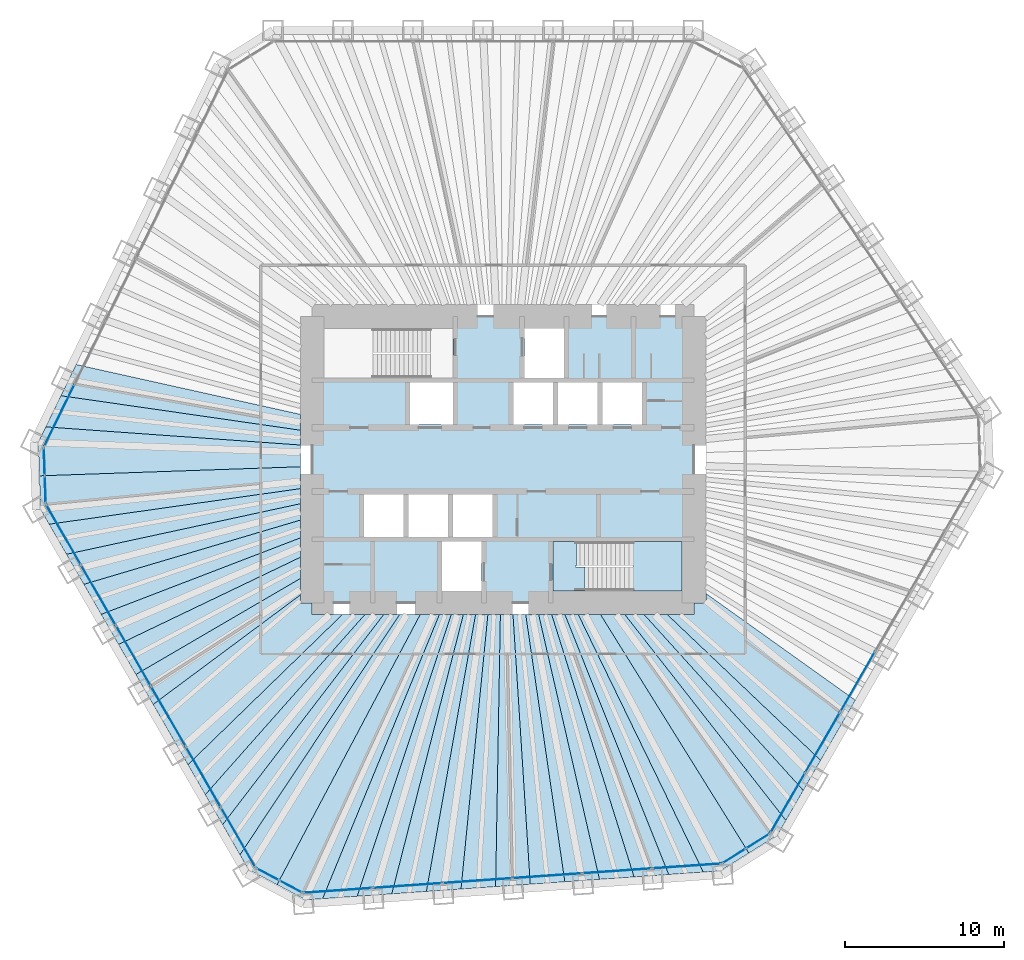
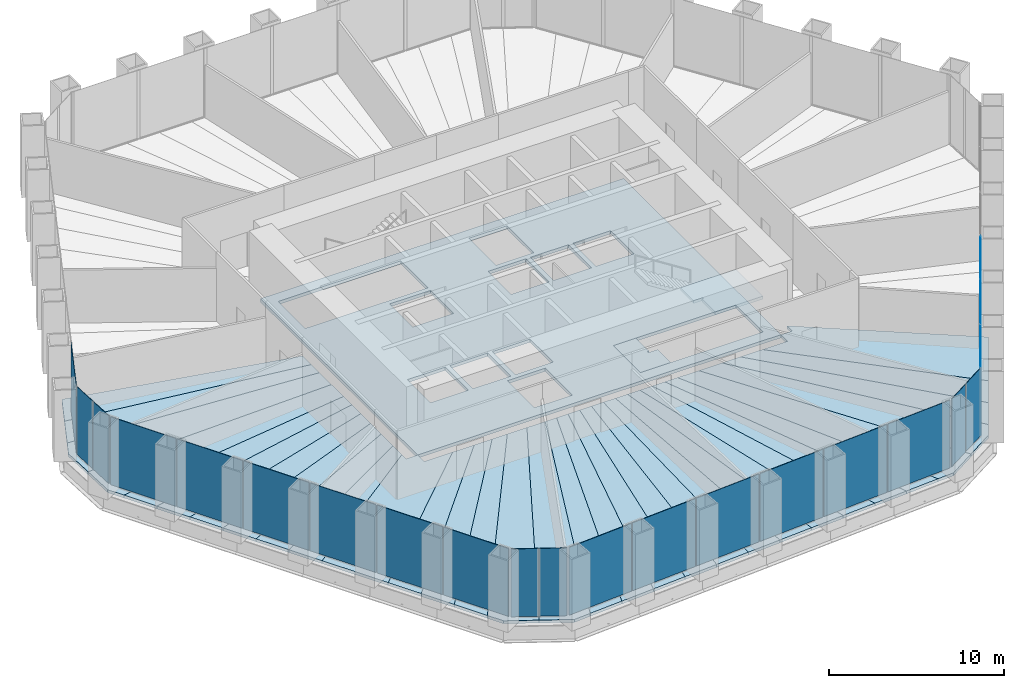
# One storey, part 8 of 13: 35 slabs, 22 plates, 8 elements without a shape of their own.
"""IFC4 building model written with IfcOpenShell, lengths in metres."""

from ifc_helpers import new_model, si_unit, direction, frame, origin, origin_2d, place, context, subcontext, project, spatial, polyline, rectangle, outline, extrude, material, layer, layer_set, type_object, element, aggregate, save


model = new_model("IFC4")

# Units and contexts
model_context = context("Model", 3, precision=1e-05, world=origin(), true_north=direction((0.0, 1.0)))
body_context = subcontext(model_context, "Body", "Model", "MODEL_VIEW")
ifc_project = project(units=[si_unit("LENGTHUNIT", "METRE"), si_unit("AREAUNIT", "SQUARE_METRE"), si_unit("VOLUMEUNIT", "CUBIC_METRE"), si_unit("PLANEANGLEUNIT", "RADIAN"), si_unit("MASSUNIT", "GRAM", prefix="KILO")], contexts=[model_context])

# Site, building, storey
site_placement = place(None, origin())
site = spatial("IfcSite", under=ifc_project, at=site_placement, CompositionType="ELEMENT")
building_placement = place(site_placement, origin())
building = spatial("IfcBuilding", under=site, at=building_placement, Name="Qingtian Harvest Tower", CompositionType="ELEMENT")
storey_placement = place(building_placement, frame((0.0, 0.0, 62.0)))
storey = spatial("IfcBuildingStorey", under=building, at=storey_placement, Name="L12", CompositionType="ELEMENT", Elevation=62.0)

# Slabs
ifc_material_1 = material(Name="Concrete fc' 35 MPa", Category="concrete")
ifc_layer_1 = layer(ifc_material_1, 0.199951171875)
ifc_layer_set_1 = layer_set([ifc_layer_1], Name="Composite floor slab FS20 200")
slab_type_1 = type_object("IfcSlabType", Name="Composite floor slab FS20 200", PredefinedType="FLOOR", material=ifc_layer_set_1)
slab_1_placement = place(storey_placement, frame((0.0, 0.0, -0.199951171875)))
element("IfcSlab", 1, at=slab_1_placement, inside=storey, type_object=slab_type_1, Name="Floor slab L12 panel D01", PredefinedType="FLOOR", context=body_context, shape_type="SweptSolid", body=[
    extrude(outline(polyline([(-29.157470703125, -1.018310546875), (-12.75, -0.447509765625), (-12.75, -1.822998046875), (-28.548583984375, -4.062255859375), (-29.08349609375, -3.135986328125), (-29.157470703125, -1.018310546875)])), origin(), (0.0, 0.0, 1.0), 0.199951171875),
])
slab_2_placement = place(storey_placement, frame((0.0, 0.0, -0.199951171875)))
element("IfcSlab", 2, at=slab_2_placement, inside=storey, type_object=slab_type_1, Name="Floor slab L12 panel D02", PredefinedType="FLOOR", context=body_context, shape_type="SweptSolid", body=[
    extrude(outline(polyline([(-12.75, -2.773681640625), (-27.45751953125, -5.9521484375), (-28.548583984375, -4.062255859375), (-12.75, -1.822998046875), (-12.75, -2.773681640625)])), origin(), (0.0, 0.0, 1.0), 0.199951171875),
])
slab_3_placement = place(storey_placement, frame((0.0, 0.0, -0.199951171875)))
element("IfcSlab", 3, at=slab_3_placement, inside=storey, type_object=slab_type_1, Name="Floor slab L12 panel D03", PredefinedType="FLOOR", context=body_context, shape_type="SweptSolid", body=[
    extrude(outline(polyline([(-12.75, -3.80322265625), (-26.366455078125, -7.842041015625), (-27.45751953125, -5.9521484375), (-12.75, -2.773681640625), (-12.75, -3.80322265625)])), origin(), (0.0, 0.0, 1.0), 0.199951171875),
])
slab_4_placement = place(storey_placement, frame((0.0, 0.0, -0.199951171875)))
element("IfcSlab", 4, at=slab_4_placement, inside=storey, type_object=slab_type_1, Name="Floor slab L12 panel D04", PredefinedType="FLOOR", context=body_context, shape_type="SweptSolid", body=[
    extrude(outline(polyline([(-12.75, -4.921875), (-25.275146484375, -9.732177734375), (-26.366455078125, -7.842041015625), (-12.75, -3.80322265625), (-12.75, -4.921875)])), origin(), (0.0, 0.0, 1.0), 0.199951171875),
])
slab_5_placement = place(storey_placement, frame((0.0, 0.0, -0.199951171875)))
element("IfcSlab", 5, at=slab_5_placement, inside=storey, type_object=slab_type_1, Name="Floor slab L12 panel D05", PredefinedType="FLOOR", context=body_context, shape_type="SweptSolid", body=[
    extrude(outline(polyline([(-12.75, -6.141357421875), (-24.18408203125, -11.6220703125), (-25.275146484375, -9.732177734375), (-12.75, -4.921875), (-12.75, -6.141357421875)])), origin(), (0.0, 0.0, 1.0), 0.199951171875),
])
slab_6_placement = place(storey_placement, frame((0.0, 0.0, -0.199951171875)))
element("IfcSlab", 6, at=slab_6_placement, inside=storey, type_object=slab_type_1, Name="Floor slab L12 panel D06", PredefinedType="FLOOR", context=body_context, shape_type="SweptSolid", body=[
    extrude(outline(polyline([(-12.75, -7.4765625), (-23.0927734375, -13.511962890625), (-24.18408203125, -11.6220703125), (-12.75, -6.141357421875), (-12.75, -7.4765625)])), origin(), (0.0, 0.0, 1.0), 0.199951171875),
])
slab_7_placement = place(storey_placement, frame((0.0, 0.0, -0.199951171875)))
element("IfcSlab", 7, at=slab_7_placement, inside=storey, type_object=slab_type_1, Name="Floor slab L12 panel D07", PredefinedType="FLOOR", context=body_context, shape_type="SweptSolid", body=[
    extrude(outline(polyline([(-12.75, -8.512451171875), (-22.00537109375, -15.3955078125), (-23.0927734375, -13.511962890625), (-12.75, -7.4765625), (-12.75, -8.512451171875)])), origin(), (0.0, 0.0, 1.0), 0.199951171875),
])
slab_8_placement = place(storey_placement, frame((0.0, 0.0, -0.199951171875)))
element("IfcSlab", 8, at=slab_8_placement, inside=storey, type_object=slab_type_1, Name="Floor slab L12 panel D09", PredefinedType="FLOOR", context=body_context, shape_type="SweptSolid", body=[
    extrude(outline(polyline([(-19.81982421875, -19.18115234375), (-22.00537109375, -15.3955078125), (-12.75, -8.512451171875), (-12.75, -9.0), (-12.0, -9.0), (-12.0, -9.75), (-10.1123046875, -9.75), (-19.81982421875, -19.18115234375)])), origin(), (0.0, 0.0, 1.0), 0.199951171875),
])
slab_9_placement = place(storey_placement, frame((0.0, 0.0, -0.199951171875)))
element("IfcSlab", 9, at=slab_9_placement, inside=storey, type_object=slab_type_1, Name="Floor slab L12 panel D10", PredefinedType="FLOOR", context=body_context, shape_type="SweptSolid", body=[
    extrude(outline(polyline([(-8.694580078125, -9.75), (-18.728515625, -21.0712890625), (-19.81982421875, -19.18115234375), (-10.1123046875, -9.75), (-8.694580078125, -9.75)])), origin(), (0.0, 0.0, 1.0), 0.199951171875),
])
slab_10_placement = place(storey_placement, frame((0.0, 0.0, -0.199951171875)))
element("IfcSlab", 10, at=slab_10_placement, inside=storey, type_object=slab_type_1, Name="Floor slab L12 panel D11", PredefinedType="FLOOR", context=body_context, shape_type="SweptSolid", body=[
    extrude(outline(polyline([(-7.511474609375, -9.75), (-17.63720703125, -22.961181640625), (-18.728515625, -21.0712890625), (-8.694580078125, -9.75), (-7.511474609375, -9.75)])), origin(), (0.0, 0.0, 1.0), 0.199951171875),
])
slab_11_placement = place(storey_placement, frame((0.0, 0.0, -0.199951171875)))
element("IfcSlab", 11, at=slab_11_placement, inside=storey, type_object=slab_type_1, Name="Floor slab L12 panel D12", PredefinedType="FLOOR", context=body_context, shape_type="SweptSolid", body=[
    extrude(outline(polyline([(-6.509033203125, -9.75), (-16.546142578125, -24.851318359375), (-17.63720703125, -22.961181640625), (-7.511474609375, -9.75), (-6.509033203125, -9.75)])), origin(), (0.0, 0.0, 1.0), 0.199951171875),
])
slab_12_placement = place(storey_placement, frame((0.0, 0.0, -0.199951171875)))
element("IfcSlab", 12, at=slab_12_placement, inside=storey, type_object=slab_type_1, Name="Floor slab L12 panel D13", PredefinedType="FLOOR", context=body_context, shape_type="SweptSolid", body=[
    extrude(outline(polyline([(-6.509033203125, -9.75), (-5.213623046875, -9.75), (-14.214599609375, -26.73291015625), (-16.01123046875, -25.777587890625), (-16.546142578125, -24.851318359375), (-6.509033203125, -9.75)])), origin(), (0.0, 0.0, 1.0), 0.199951171875),
])
slab_13_placement = place(storey_placement, frame((0.0, 0.0, -0.199951171875)))
element("IfcSlab", 13, at=slab_13_placement, inside=storey, type_object=slab_type_1, Name="Floor slab L12 panel D14", PredefinedType="FLOOR", context=body_context, shape_type="SweptSolid", body=[
    extrude(outline(polyline([(-5.213623046875, -9.75), (-4.006591796875, -9.75), (-11.350341796875, -27.614013671875), (-12.417236328125, -27.688720703125), (-14.214599609375, -26.73291015625), (-5.213623046875, -9.75)])), origin(), (0.0, 0.0, 1.0), 0.199951171875),
])
slab_14_placement = place(storey_placement, frame((0.0, 0.0, -0.199951171875)))
element("IfcSlab", 14, at=slab_14_placement, inside=storey, type_object=slab_type_1, Name="Floor slab L12 panel D15", PredefinedType="FLOOR", context=body_context, shape_type="SweptSolid", body=[
    extrude(outline(polyline([(-3.255859375, -9.75), (-9.17333984375, -27.4619140625), (-11.350341796875, -27.614013671875), (-4.006591796875, -9.75), (-3.255859375, -9.75)])), origin(), (0.0, 0.0, 1.0), 0.199951171875),
])
slab_15_placement = place(storey_placement, frame((0.0, 0.0, -0.199951171875)))
element("IfcSlab", 15, at=slab_15_placement, inside=storey, type_object=slab_type_1, Name="Floor slab L12 panel D16", PredefinedType="FLOOR", context=body_context, shape_type="SweptSolid", body=[
    extrude(outline(polyline([(-2.496826171875, -9.75), (-6.996337890625, -27.3095703125), (-9.17333984375, -27.4619140625), (-3.255859375, -9.75), (-2.496826171875, -9.75)])), origin(), (0.0, 0.0, 1.0), 0.199951171875),
])
slab_16_placement = place(storey_placement, frame((0.0, 0.0, -0.199951171875)))
element("IfcSlab", 16, at=slab_16_placement, inside=storey, type_object=slab_type_1, Name="Floor slab L12 panel D17", PredefinedType="FLOOR", context=body_context, shape_type="SweptSolid", body=[
    extrude(outline(polyline([(-1.729248046875, -9.75), (-4.8193359375, -27.1572265625), (-6.996337890625, -27.3095703125), (-2.496826171875, -9.75), (-1.729248046875, -9.75)])), origin(), (0.0, 0.0, 1.0), 0.199951171875),
])
slab_17_placement = place(storey_placement, frame((0.0, 0.0, -0.199951171875)))
element("IfcSlab", 17, at=slab_17_placement, inside=storey, type_object=slab_type_1, Name="Floor slab L12 panel D18", PredefinedType="FLOOR", context=body_context, shape_type="SweptSolid", body=[
    extrude(outline(polyline([(-0.952880859375, -9.75), (-2.642333984375, -27.005126953125), (-4.8193359375, -27.1572265625), (-1.729248046875, -9.75), (-0.952880859375, -9.75)])), origin(), (0.0, 0.0, 1.0), 0.199951171875),
])
slab_18_placement = place(storey_placement, frame((0.0, 0.0, -0.199951171875)))
element("IfcSlab", 18, at=slab_18_placement, inside=storey, type_object=slab_type_1, Name="Floor slab L12 panel D19", PredefinedType="FLOOR", context=body_context, shape_type="SweptSolid", body=[
    extrude(outline(polyline([(-0.16796875, -9.75), (-0.46533203125, -26.852783203125), (-2.642333984375, -27.005126953125), (-0.952880859375, -9.75), (-0.16796875, -9.75)])), origin(), (0.0, 0.0, 1.0), 0.199951171875),
])
slab_19_placement = place(storey_placement, frame((0.0, 0.0, -0.199951171875)))
element("IfcSlab", 19, at=slab_19_placement, inside=storey, type_object=slab_type_1, Name="Floor slab L12 panel D20", PredefinedType="FLOOR", context=body_context, shape_type="SweptSolid", body=[
    extrude(outline(polyline([(0.626220703125, -9.75), (1.711669921875, -26.70068359375), (-0.46533203125, -26.852783203125), (-0.16796875, -9.75), (0.626220703125, -9.75)])), origin(), (0.0, 0.0, 1.0), 0.199951171875),
])
slab_20_placement = place(storey_placement, frame((0.0, 0.0, -0.199951171875)))
element("IfcSlab", 20, at=slab_20_placement, inside=storey, type_object=slab_type_1, Name="Floor slab L12 panel D21", PredefinedType="FLOOR", context=body_context, shape_type="SweptSolid", body=[
    extrude(outline(polyline([(1.42919921875, -9.75), (3.888671875, -26.54833984375), (1.711669921875, -26.70068359375), (0.626220703125, -9.75), (1.42919921875, -9.75)])), origin(), (0.0, 0.0, 1.0), 0.199951171875),
])
slab_21_placement = place(storey_placement, frame((0.0, 0.0, -0.199951171875)))
element("IfcSlab", 21, at=slab_21_placement, inside=storey, type_object=slab_type_1, Name="Floor slab L12 panel D22", PredefinedType="FLOOR", context=body_context, shape_type="SweptSolid", body=[
    extrude(outline(polyline([(2.24169921875, -9.75), (6.065673828125, -26.396240234375), (3.888671875, -26.54833984375), (1.42919921875, -9.75), (2.24169921875, -9.75)])), origin(), (0.0, 0.0, 1.0), 0.199951171875),
])
slab_22_placement = place(storey_placement, frame((0.0, 0.0, -0.199951171875)))
element("IfcSlab", 22, at=slab_22_placement, inside=storey, type_object=slab_type_1, Name="Floor slab L12 panel D23", PredefinedType="FLOOR", context=body_context, shape_type="SweptSolid", body=[
    extrude(outline(polyline([(3.0634765625, -9.75), (8.24267578125, -26.243896484375), (6.065673828125, -26.396240234375), (2.24169921875, -9.75), (3.0634765625, -9.75)])), origin(), (0.0, 0.0, 1.0), 0.199951171875),
])
slab_23_placement = place(storey_placement, frame((0.0, 0.0, -0.199951171875)))
element("IfcSlab", 23, at=slab_23_placement, inside=storey, type_object=slab_type_1, Name="Floor slab L12 panel D24", PredefinedType="FLOOR", context=body_context, shape_type="SweptSolid", body=[
    extrude(outline(polyline([(3.894775390625, -9.75), (10.419677734375, -26.091796875), (8.24267578125, -26.243896484375), (3.0634765625, -9.75), (3.894775390625, -9.75)])), origin(), (0.0, 0.0, 1.0), 0.199951171875),
])
slab_24_placement = place(storey_placement, frame((0.0, 0.0, -0.199951171875)))
element("IfcSlab", 24, at=slab_24_placement, inside=storey, type_object=slab_type_1, Name="Floor slab L12 panel D25", PredefinedType="FLOOR", context=body_context, shape_type="SweptSolid", body=[
    extrude(outline(polyline([(4.736083984375, -9.75), (12.5966796875, -25.939453125), (10.419677734375, -26.091796875), (3.894775390625, -9.75), (4.736083984375, -9.75)])), origin(), (0.0, 0.0, 1.0), 0.199951171875),
])
slab_25_placement = place(storey_placement, frame((0.0, 0.0, -0.199951171875)))
element("IfcSlab", 25, at=slab_25_placement, inside=storey, type_object=slab_type_1, Name="Floor slab L12 panel D26", PredefinedType="FLOOR", context=body_context, shape_type="SweptSolid", body=[
    extrude(outline(polyline([(4.736083984375, -9.75), (6.136474609375, -9.75), (15.4609375, -24.74169921875), (13.663330078125, -25.864990234375), (12.5966796875, -25.939453125), (4.736083984375, -9.75)])), origin(), (0.0, 0.0, 1.0), 0.199951171875),
])
slab_26_placement = place(storey_placement, frame((0.0, 0.0, -0.199951171875)))
element("IfcSlab", 26, at=slab_26_placement, inside=storey, type_object=slab_type_1, Name="Floor slab L12 panel D27", PredefinedType="FLOOR", context=body_context, shape_type="SweptSolid", body=[
    extrude(outline(polyline([(6.136474609375, -9.75), (7.66748046875, -9.75), (17.79248046875, -22.692626953125), (17.257568359375, -23.618896484375), (15.4609375, -24.74169921875), (6.136474609375, -9.75)])), origin(), (0.0, 0.0, 1.0), 0.199951171875),
])
slab_27_placement = place(storey_placement, frame((0.0, 0.0, -0.199951171875)))
element("IfcSlab", 27, at=slab_27_placement, inside=storey, type_object=slab_type_1, Name="Floor slab L12 panel D28", PredefinedType="FLOOR", context=body_context, shape_type="SweptSolid", body=[
    extrude(outline(polyline([(8.88037109375, -9.75), (18.883544921875, -20.802734375), (17.79248046875, -22.692626953125), (7.66748046875, -9.75), (8.88037109375, -9.75)])), origin(), (0.0, 0.0, 1.0), 0.199951171875),
])
slab_28_placement = place(storey_placement, frame((0.0, 0.0, -0.199951171875)))
element("IfcSlab", 28, at=slab_28_placement, inside=storey, type_object=slab_type_1, Name="Floor slab L12 panel D29", PredefinedType="FLOOR", context=body_context, shape_type="SweptSolid", body=[
    extrude(outline(polyline([(10.337158203125, -9.75), (19.974853515625, -18.91259765625), (18.883544921875, -20.802734375), (8.88037109375, -9.75), (10.337158203125, -9.75)])), origin(), (0.0, 0.0, 1.0), 0.199951171875),
])
slab_29_placement = place(storey_placement, frame((0.0, 0.0, -0.199951171875)))
element("IfcSlab", 29, at=slab_29_placement, inside=storey, type_object=slab_type_1, Name="Floor slab L12 panel D31", PredefinedType="FLOOR", context=body_context, shape_type="SweptSolid", body=[
    extrude(outline(polyline([(12.75, -8.4091796875), (22.159423828125, -15.128662109375), (19.974853515625, -18.91259765625), (10.337158203125, -9.75), (12.0, -9.75), (12.0, -9.0), (12.75, -9.0), (12.75, -8.4091796875)])), origin(), (0.0, 0.0, 1.0), 0.199951171875),
])
slab_30_placement = place(storey_placement, frame((0.0, 0.0, -0.199951171875)))
element("IfcSlab", 30, at=slab_30_placement, inside=storey, type_object=slab_type_1, Name="Floor slab L12 panel D76", PredefinedType="FLOOR", context=body_context, shape_type="SweptSolid", body=[
    extrude(outline(polyline([(-12.75, 1.8525390625), (-27.805908203125, 4.022216796875), (-26.84912109375, 5.98388671875), (-12.75, 2.8505859375), (-12.75, 1.8525390625)])), origin(), (0.0, 0.0, 1.0), 0.199951171875),
])
slab_31_placement = place(storey_placement, frame((0.0, 0.0, -0.199951171875)))
element("IfcSlab", 31, at=slab_31_placement, inside=storey, type_object=slab_type_1, Name="Floor slab L12 panel D77", PredefinedType="FLOOR", context=body_context, shape_type="SweptSolid", body=[
    extrude(outline(polyline([(-12.75, 0.9208984375), (-28.762451171875, 2.060791015625), (-27.805908203125, 4.022216796875), (-12.75, 1.8525390625), (-12.75, 0.9208984375)])), origin(), (0.0, 0.0, 1.0), 0.199951171875),
])
slab_32_placement = place(storey_placement, frame((0.0, 0.0, -0.199951171875)))
element("IfcSlab", 32, at=slab_32_placement, inside=storey, type_object=slab_type_1, Name="Floor slab L12 panel D78", PredefinedType="FLOOR", context=body_context, shape_type="SweptSolid", body=[
    extrude(outline(polyline([(-12.75, 0.9208984375), (-12.75, -0.447509765625), (-29.157470703125, -1.018310546875), (-29.2314453125, 1.099609375), (-28.762451171875, 2.060791015625), (-12.75, 0.9208984375)])), origin(), (0.0, 0.0, 1.0), 0.199951171875),
])
ifc_material_2 = material(Name="Concrete fc' 35 MPa", Category="concrete")
ifc_layer_2 = layer(ifc_material_2, 0.219970703125)
ifc_layer_set_2 = layer_set([ifc_layer_2], Name="Core floor slab CS22 220")
slab_type_2 = type_object("IfcSlabType", Name="Core floor slab CS22 220", PredefinedType="FLOOR", material=ifc_layer_set_2)
slab_33_placement = place(storey_placement, frame((0.0, 0.0, -0.219970703125)))
element("IfcSlab", 33, at=slab_33_placement, inside=storey, type_object=slab_type_2, Name="Core floor slab L12", PredefinedType="FLOOR", context=body_context, shape_type="SweptSolid", body=[
    extrude(outline(polyline([(-12.0, -9.0), (12.0, -9.0), (12.0, 9.0), (-12.0, 9.0), (-12.0, -9.0)]), holes=[polyline([(-11.25, 5.14990234375), (-3.14990234375, 5.14990234375), (-3.14990234375, 8.25), (-11.25, 8.25), (-11.25, 5.14990234375)]), polyline([(3.14990234375, -8.25), (11.25, -8.25), (11.25, -5.14990234375), (3.14990234375, -5.14990234375), (3.14990234375, -8.25)]), polyline([(1.35009765625, 5.14990234375), (3.85009765625, 5.14990234375), (3.85009765625, 8.25), (1.35009765625, 8.25), (1.35009765625, 5.14990234375)]), polyline([(-3.85009765625, -8.25), (-1.35009765625, -8.25), (-1.35009765625, -5.14990234375), (-3.85009765625, -5.14990234375), (-3.85009765625, -8.25)]), polyline([(-5.85009765625, 2.199951171875), (-3.14990234375, 2.199951171875), (-3.14990234375, 4.85009765625), (-5.85009765625, 4.85009765625), (-5.85009765625, 2.199951171875)]), polyline([(0.64990234375, 2.199951171875), (3.14990234375, 2.199951171875), (3.14990234375, 4.85009765625), (0.64990234375, 4.85009765625), (0.64990234375, 2.199951171875)]), polyline([(3.449951171875, 2.199951171875), (5.949951171875, 2.199951171875), (5.949951171875, 4.85009765625), (3.449951171875, 4.85009765625), (3.449951171875, 2.199951171875)]), polyline([(6.25, 2.199951171875), (8.75, 2.199951171875), (8.75, 4.85009765625), (6.25, 4.85009765625), (6.25, 2.199951171875)]), polyline([(-8.75, -4.85009765625), (-6.25, -4.85009765625), (-6.25, -2.199951171875), (-8.75, -2.199951171875), (-8.75, -4.85009765625)]), polyline([(-5.949951171875, -4.85009765625), (-3.449951171875, -4.85009765625), (-3.449951171875, -2.199951171875), (-5.949951171875, -2.199951171875), (-5.949951171875, -4.85009765625)]), polyline([(-3.14990234375, -4.85009765625), (-0.64990234375, -4.85009765625), (-0.64990234375, -2.199951171875), (-3.14990234375, -2.199951171875), (-3.14990234375, -4.85009765625)])]), origin(), (0.0, 0.0, 1.0), 0.219970703125),
])

# Curtain wall, plates
ifc_material_3 = material(Name="Bronze-anodised aluminium curtain wall", Category="aluminium")
curtain_wall_type = type_object("IfcCurtainWallType", Name="Curtain wall CW2 farm reception", PredefinedType="USERDEFINED", material=ifc_material_3)
curtain_wall_1_placement = place(storey_placement, origin())
curtain_wall_1 = element("IfcCurtainWall", 34, at=curtain_wall_1_placement, inside=storey, type_object=curtain_wall_type, Name="Curtain wall CW2 L12 SE0-5", ObjectType="RECESSED CURTAIN WALL", PredefinedType="USERDEFINED")
ifc_material_4 = material(Name="Bronze-tinted laminated insulating glass", Category="glass")
ifc_layer_3 = layer(ifc_material_4, 0.030029296875)
ifc_layer_set_3 = layer_set([ifc_layer_3], Name="Glazed panel CWP tinted IGU")
plate_type = type_object("IfcPlateType", Name="Glazed panel CWP tinted IGU", PredefinedType="CURTAIN_PANEL", material=ifc_layer_set_3)
plate_1_placement = place(storey_placement, frame((22.30419921875, -13.968017578125, 0.06494140625), z_axis=(0.0, 0.0, 1.0), x_axis=(-0.5, -0.866025403784, 0.0)))
plate_1 = element("IfcPlate", 35, at=plate_1_placement, type_object=plate_type, Name="CW2 panel 4.1", PredefinedType="CURTAIN_PANEL", context=body_context, shape_type="SweptSolid", body=[
    extrude(rectangle(XDim=4.339599609375, YDim=0.030029296875, at=origin_2d()), origin(), (0.0, 0.0, 1.0), 4.735107421875),
])
plate_2_placement = place(storey_placement, frame((20.101806640625, -17.782470703125, 0.06494140625), z_axis=(0.0, 0.0, 1.0), x_axis=(-0.5, -0.866025403784, 0.0)))
plate_2 = element("IfcPlate", 36, at=plate_2_placement, type_object=plate_type, Name="CW2 panel 5.1", PredefinedType="CURTAIN_PANEL", context=body_context, shape_type="SweptSolid", body=[
    extrude(rectangle(XDim=4.339599609375, YDim=0.030029296875, at=origin_2d()), origin(), (0.0, 0.0, 1.0), 4.735107421875),
])
plate_3_placement = place(storey_placement, frame((17.90771484375, -21.5830078125, 0.06494140625), z_axis=(0.0, 0.0, 1.0), x_axis=(-0.5, -0.866025403784, 0.0)))
plate_3 = element("IfcPlate", 37, at=plate_3_placement, type_object=plate_type, Name="CW2 panel 6.1", PredefinedType="CURTAIN_PANEL", context=body_context, shape_type="SweptSolid", body=[
    extrude(rectangle(XDim=4.30712890625, YDim=0.030029296875, at=origin_2d()), origin(), (0.0, 0.0, 1.0), 4.735107421875),
])
aggregate(curtain_wall_1, [plate_1, plate_2, plate_3])

curtain_wall_2_placement = place(storey_placement, origin())
curtain_wall_2 = element("IfcCurtainWall", 38, at=curtain_wall_2_placement, inside=storey, type_object=curtain_wall_type, Name="Curtain wall CW2 L12 SEC", ObjectType="RECESSED CURTAIN WALL", PredefinedType="USERDEFINED")
plate_4_placement = place(storey_placement, frame((16.025390625, -23.9873046875, 0.06494140625), z_axis=(0.0, 0.0, 1.0), x_axis=(-0.848048096156, -0.529919264233, 0.0)))
plate_4 = element("IfcPlate", 39, at=plate_4_placement, type_object=plate_type, Name="CW2 panel 1.1", PredefinedType="CURTAIN_PANEL", context=body_context, shape_type="SweptSolid", body=[
    extrude(rectangle(XDim=1.69287109375, YDim=0.030029296875, at=origin_2d()), origin(), (0.0, 0.0, 1.0), 4.735107421875),
])
plate_5_placement = place(storey_placement, frame((14.53466796875, -24.9189453125, 0.06494140625), z_axis=(0.0, 0.0, 1.0), x_axis=(-0.848048096156, -0.529919264233, 0.0)))
plate_5 = element("IfcPlate", 40, at=plate_5_placement, type_object=plate_type, Name="CW2 panel 2.1", PredefinedType="CURTAIN_PANEL", context=body_context, shape_type="SweptSolid", body=[
    extrude(rectangle(XDim=1.69287109375, YDim=0.030029296875, at=origin_2d()), origin(), (0.0, 0.0, 1.0), 4.735107421875),
])
aggregate(curtain_wall_2, [plate_4, plate_5])

curtain_wall_3_placement = place(storey_placement, origin())
curtain_wall_3 = element("IfcCurtainWall", 41, at=curtain_wall_3_placement, inside=storey, type_object=curtain_wall_type, Name="Curtain wall CW2 L12 S0-5", ObjectType="RECESSED CURTAIN WALL", PredefinedType="USERDEFINED")
plate_6_placement = place(storey_placement, frame((11.548583984375, -25.556640625, 0.06494140625), z_axis=(0.0, 0.0, 1.0), x_axis=(-0.99756405026, -0.069756473744, 0.0)))
plate_6 = element("IfcPlate", 42, at=plate_6_placement, type_object=plate_type, Name="CW2 panel 1.1", PredefinedType="CURTAIN_PANEL", context=body_context, shape_type="SweptSolid", body=[
    extrude(rectangle(XDim=4.30712890625, YDim=0.030029296875, at=origin_2d()), origin(), (0.0, 0.0, 1.0), 4.735107421875),
])
plate_7_placement = place(storey_placement, frame((7.1708984375, -25.86279296875, 0.06494140625), z_axis=(0.0, 0.0, 1.0), x_axis=(-0.99756405026, -0.069756473744, 0.0)))
plate_7 = element("IfcPlate", 43, at=plate_7_placement, type_object=plate_type, Name="CW2 panel 2.1", PredefinedType="CURTAIN_PANEL", context=body_context, shape_type="SweptSolid", body=[
    extrude(rectangle(XDim=4.339599609375, YDim=0.030029296875, at=origin_2d()), origin(), (0.0, 0.0, 1.0), 4.735107421875),
])
plate_8_placement = place(storey_placement, frame((2.77685546875, -26.169921875, 0.06494140625), z_axis=(0.0, 0.0, 1.0), x_axis=(-0.99756405026, -0.069756473744, 0.0)))
plate_8 = element("IfcPlate", 44, at=plate_8_placement, type_object=plate_type, Name="CW2 panel 3.1", PredefinedType="CURTAIN_PANEL", context=body_context, shape_type="SweptSolid", body=[
    extrude(rectangle(XDim=4.339599609375, YDim=0.030029296875, at=origin_2d()), origin(), (0.0, 0.0, 1.0), 4.735107421875),
])
plate_9_placement = place(storey_placement, frame((-1.616943359375, -26.477294921875, 0.06494140625), z_axis=(0.0, 0.0, 1.0), x_axis=(-0.99756405026, -0.069756473744, 0.0)))
plate_9 = element("IfcPlate", 45, at=plate_9_placement, type_object=plate_type, Name="CW2 panel 4.1", PredefinedType="CURTAIN_PANEL", context=body_context, shape_type="SweptSolid", body=[
    extrude(rectangle(XDim=4.339599609375, YDim=0.030029296875, at=origin_2d()), origin(), (0.0, 0.0, 1.0), 4.735107421875),
])
plate_10_placement = place(storey_placement, frame((-6.0107421875, -26.784423828125, 0.06494140625), z_axis=(0.0, 0.0, 1.0), x_axis=(-0.99756405026, -0.069756473744, 0.0)))
plate_10 = element("IfcPlate", 46, at=plate_10_placement, type_object=plate_type, Name="CW2 panel 5.1", PredefinedType="CURTAIN_PANEL", context=body_context, shape_type="SweptSolid", body=[
    extrude(rectangle(XDim=4.339599609375, YDim=0.030029296875, at=origin_2d()), origin(), (0.0, 0.0, 1.0), 4.735107421875),
])
plate_11_placement = place(storey_placement, frame((-10.388427734375, -27.090576171875, 0.06494140625), z_axis=(0.0, 0.0, 1.0), x_axis=(-0.99756405026, -0.069756473744, 0.0)))
plate_11 = element("IfcPlate", 47, at=plate_11_placement, type_object=plate_type, Name="CW2 panel 6.1", PredefinedType="CURTAIN_PANEL", context=body_context, shape_type="SweptSolid", body=[
    extrude(rectangle(XDim=4.30712890625, YDim=0.030029296875, at=origin_2d()), origin(), (0.0, 0.0, 1.0), 4.735107421875),
])
aggregate(curtain_wall_3, [plate_6, plate_7, plate_8, plate_9, plate_10, plate_11])

curtain_wall_4_placement = place(storey_placement, origin())
curtain_wall_4 = element("IfcCurtainWall", 48, at=curtain_wall_4_placement, inside=storey, type_object=curtain_wall_type, Name="Curtain wall CW2 L12 SC", ObjectType="RECESSED CURTAIN WALL", PredefinedType="USERDEFINED")
plate_12_placement = place(storey_placement, frame((-13.350830078125, -26.84716796875, 0.06494140625), z_axis=(0.0, 0.0, 1.0), x_axis=(-0.882947592859, 0.469471562786, 0.0)))
plate_12 = element("IfcPlate", 49, at=plate_12_placement, type_object=plate_type, Name="CW2 panel 1.1", PredefinedType="CURTAIN_PANEL", context=body_context, shape_type="SweptSolid", body=[
    extrude(rectangle(XDim=1.56689453125, YDim=0.030029296875, at=origin_2d()), origin(), (0.0, 0.0, 1.0), 4.735107421875),
])
plate_13_placement = place(storey_placement, frame((-14.79150390625, -26.0810546875, 0.06494140625), z_axis=(0.0, 0.0, 1.0), x_axis=(-0.882947592859, 0.469471562786, 0.0)))
plate_13 = element("IfcPlate", 50, at=plate_13_placement, type_object=plate_type, Name="CW2 panel 2.1", PredefinedType="CURTAIN_PANEL", context=body_context, shape_type="SweptSolid", body=[
    extrude(rectangle(XDim=1.56689453125, YDim=0.030029296875, at=origin_2d()), origin(), (0.0, 0.0, 1.0), 4.735107421875),
])
aggregate(curtain_wall_4, [plate_12, plate_13])

curtain_wall_5_placement = place(storey_placement, origin())
curtain_wall_5 = element("IfcCurtainWall", 51, at=curtain_wall_5_placement, inside=storey, type_object=curtain_wall_type, Name="Curtain wall CW2 L12 SW0-5", ObjectType="RECESSED CURTAIN WALL", PredefinedType="USERDEFINED")
plate_14_placement = place(storey_placement, frame((-16.64990234375, -23.76123046875, 0.06494140625), z_axis=(0.0, 0.0, 1.0), x_axis=(-0.5, 0.866025403784, 0.0)))
plate_14 = element("IfcPlate", 52, at=plate_14_placement, type_object=plate_type, Name="CW2 panel 1.1", PredefinedType="CURTAIN_PANEL", context=body_context, shape_type="SweptSolid", body=[
    extrude(rectangle(XDim=4.30712890625, YDim=0.030029296875, at=origin_2d()), origin(), (0.0, 0.0, 1.0), 4.735107421875),
])
plate_15_placement = place(storey_placement, frame((-18.84423828125, -19.9609375, 0.06494140625), z_axis=(0.0, 0.0, 1.0), x_axis=(-0.5, 0.866025403784, 0.0)))
plate_15 = element("IfcPlate", 53, at=plate_15_placement, type_object=plate_type, Name="CW2 panel 2.1", PredefinedType="CURTAIN_PANEL", context=body_context, shape_type="SweptSolid", body=[
    extrude(rectangle(XDim=4.339599609375, YDim=0.030029296875, at=origin_2d()), origin(), (0.0, 0.0, 1.0), 4.735107421875),
])
plate_16_placement = place(storey_placement, frame((-21.04638671875, -16.146484375, 0.06494140625), z_axis=(0.0, 0.0, 1.0), x_axis=(-0.5, 0.866025403784, 0.0)))
plate_16 = element("IfcPlate", 54, at=plate_16_placement, type_object=plate_type, Name="CW2 panel 3.1", PredefinedType="CURTAIN_PANEL", context=body_context, shape_type="SweptSolid", body=[
    extrude(rectangle(XDim=4.339599609375, YDim=0.030029296875, at=origin_2d()), origin(), (0.0, 0.0, 1.0), 4.735107421875),
])
plate_17_placement = place(storey_placement, frame((-23.248779296875, -12.33203125, 0.06494140625), z_axis=(0.0, 0.0, 1.0), x_axis=(-0.5, 0.866025403784, 0.0)))
plate_17 = element("IfcPlate", 55, at=plate_17_placement, type_object=plate_type, Name="CW2 panel 4.1", PredefinedType="CURTAIN_PANEL", context=body_context, shape_type="SweptSolid", body=[
    extrude(rectangle(XDim=4.339599609375, YDim=0.030029296875, at=origin_2d()), origin(), (0.0, 0.0, 1.0), 4.735107421875),
])
plate_18_placement = place(storey_placement, frame((-25.451171875, -8.517333984375, 0.06494140625), z_axis=(0.0, 0.0, 1.0), x_axis=(-0.5, 0.866025403784, 0.0)))
plate_18 = element("IfcPlate", 56, at=plate_18_placement, type_object=plate_type, Name="CW2 panel 5.1", PredefinedType="CURTAIN_PANEL", context=body_context, shape_type="SweptSolid", body=[
    extrude(rectangle(XDim=4.339599609375, YDim=0.030029296875, at=origin_2d()), origin(), (0.0, 0.0, 1.0), 4.735107421875),
])
plate_19_placement = place(storey_placement, frame((-27.645263671875, -4.717041015625, 0.06494140625), z_axis=(0.0, 0.0, 1.0), x_axis=(-0.5, 0.866025403784, 0.0)))
plate_19 = element("IfcPlate", 57, at=plate_19_placement, type_object=plate_type, Name="CW2 panel 6.1", PredefinedType="CURTAIN_PANEL", context=body_context, shape_type="SweptSolid", body=[
    extrude(rectangle(XDim=4.30712890625, YDim=0.030029296875, at=origin_2d()), origin(), (0.0, 0.0, 1.0), 4.735107421875),
])
aggregate(curtain_wall_5, [plate_14, plate_15, plate_16, plate_17, plate_18, plate_19])

curtain_wall_6_placement = place(storey_placement, origin())
curtain_wall_6 = element("IfcCurtainWall", 58, at=curtain_wall_6_placement, inside=storey, type_object=curtain_wall_type, Name="Curtain wall CW2 L12 SWC", ObjectType="RECESSED CURTAIN WALL", PredefinedType="USERDEFINED")
plate_20_placement = place(storey_placement, frame((-28.786376953125, -1.884765625, 0.06494140625), z_axis=(0.0, 0.0, 1.0), x_axis=(-0.034899496703, 0.999390827019, 0.0)))
plate_20 = element("IfcPlate", 59, at=plate_20_placement, type_object=plate_type, Name="CW2 panel 1.1", PredefinedType="CURTAIN_PANEL", context=body_context, shape_type="SweptSolid", body=[
    extrude(rectangle(XDim=1.69287109375, YDim=0.030029296875, at=origin_2d()), origin(), (0.0, 0.0, 1.0), 4.735107421875),
])
plate_21_placement = place(storey_placement, frame((-28.84765625, -0.1279296875, 0.06494140625), z_axis=(0.0, 0.0, 1.0), x_axis=(-0.034899496703, 0.999390827019, 0.0)))
plate_21 = element("IfcPlate", 60, at=plate_21_placement, type_object=plate_type, Name="CW2 panel 2.1", PredefinedType="CURTAIN_PANEL", context=body_context, shape_type="SweptSolid", body=[
    extrude(rectangle(XDim=1.69287109375, YDim=0.030029296875, at=origin_2d()), origin(), (0.0, 0.0, 1.0), 4.735107421875),
])
aggregate(curtain_wall_6, [plate_20, plate_21])

# Curtain wall, plate
curtain_wall_7_placement = place(storey_placement, origin())
curtain_wall_7 = element("IfcCurtainWall", 61, at=curtain_wall_7_placement, inside=storey, type_object=curtain_wall_type, Name="Curtain wall CW2 L12 NW0-5", ObjectType="RECESSED CURTAIN WALL", PredefinedType="USERDEFINED")
plate_22_placement = place(storey_placement, frame((-27.906982421875, 2.777099609375, 0.06494140625), z_axis=(0.0, 0.0, 1.0), x_axis=(0.438371146789, 0.898794046299, 0.0)))
plate_22 = element("IfcPlate", 62, at=plate_22_placement, type_object=plate_type, Name="CW2 panel 1.1", PredefinedType="CURTAIN_PANEL", context=body_context, shape_type="SweptSolid", body=[
    extrude(rectangle(XDim=4.30712890625, YDim=0.030029296875, at=origin_2d()), origin(), (0.0, 0.0, 1.0), 4.735107421875),
])
aggregate(curtain_wall_7, [plate_22])

# Stair, slabs
ifc_material_5 = material(Name="Concrete fc' 35 MPa", Category="concrete")
stair_type = type_object("IfcStairType", Name="Special stair ST2 5000", PredefinedType="HALF_TURN_STAIR", material=ifc_material_5)
stair_placement = place(storey_placement, origin())
stair = element("IfcStair", 63, at=stair_placement, inside=storey, type_object=stair_type, Name="Special stair S2 L12", PredefinedType="HALF_TURN_STAIR")
ifc_material_6 = material(Name="Concrete fc' 35 MPa", Category="concrete")
ifc_layer_4 = layer(ifc_material_6, 0.199951171875)
ifc_layer_set_4 = layer_set([ifc_layer_4], Name="Stair landing SL2 200")
slab_type_3 = type_object("IfcSlabType", Name="Stair landing SL2 200", PredefinedType="LANDING", material=ifc_layer_set_4)
slab_34_placement = place(storey_placement, frame((0.0, 0.0, -0.199951171875)))
slab_34 = element("IfcSlab", 64, at=slab_34_placement, type_object=slab_type_3, Name="S2 landing 1", PredefinedType="LANDING", context=body_context, shape_type="SweptSolid", body=[
    extrude(outline(polyline([(5.155029296875, -8.25), (3.14990234375, -8.25), (3.14990234375, -5.14990234375), (4.64990234375, -5.14990234375), (4.64990234375, -6.64990234375), (4.550048828125, -6.64990234375), (4.550048828125, -6.75), (5.155029296875, -6.75), (5.155029296875, -8.25)])), origin(), (0.0, 0.0, 1.0), 0.199951171875),
])
slab_35_placement = place(storey_placement, frame((0.0, 0.0, 2.300048828125)))
slab_35 = element("IfcSlab", 65, at=slab_35_placement, type_object=slab_type_3, Name="S2 landing 2", PredefinedType="LANDING", context=body_context, shape_type="SweptSolid", body=[
    extrude(outline(polyline([(8.090087890625, -8.25), (8.090087890625, -6.75), (8.18994140625, -6.75), (8.18994140625, -6.64990234375), (7.5849609375, -6.64990234375), (7.5849609375, -5.14990234375), (11.25, -5.14990234375), (11.25, -8.25), (8.090087890625, -8.25)])), origin(), (0.0, 0.0, 1.0), 0.199951171875),
])
aggregate(stair, [slab_34, slab_35])

save(model, "model.ifc")
